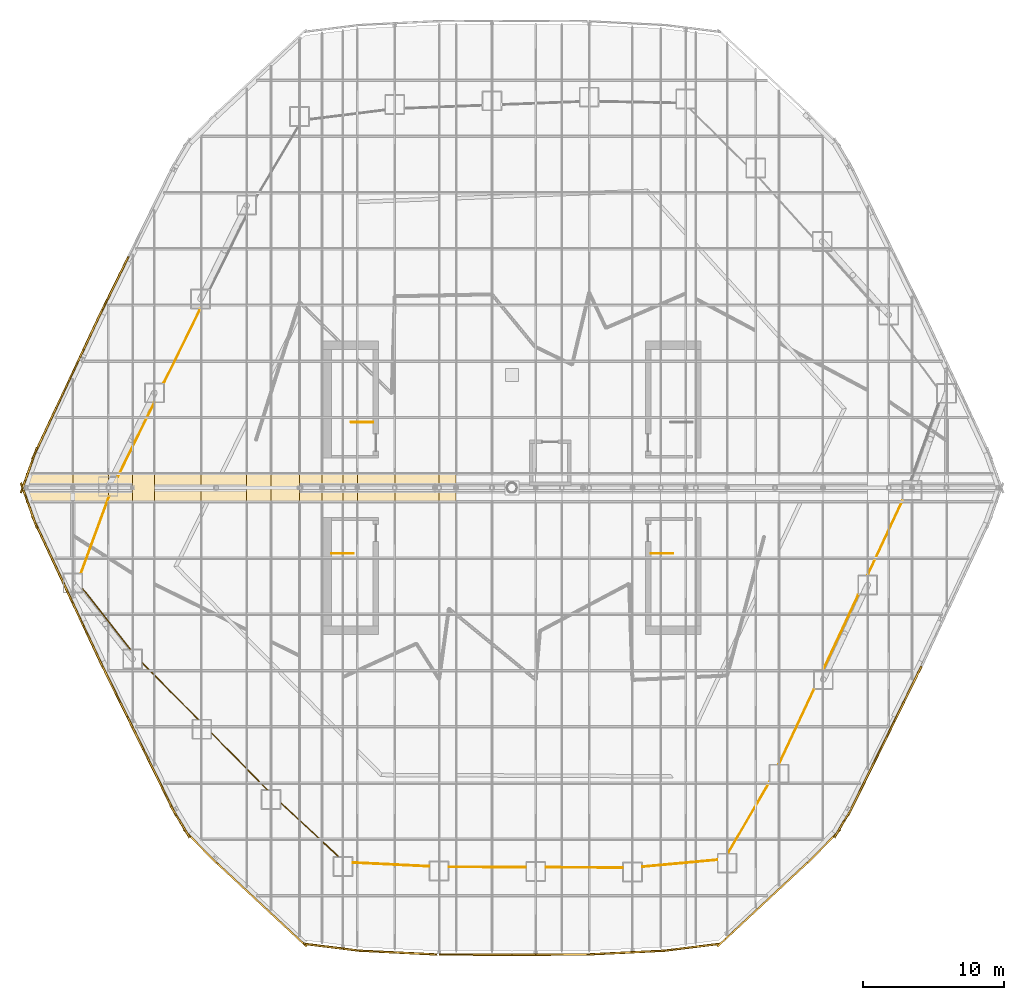
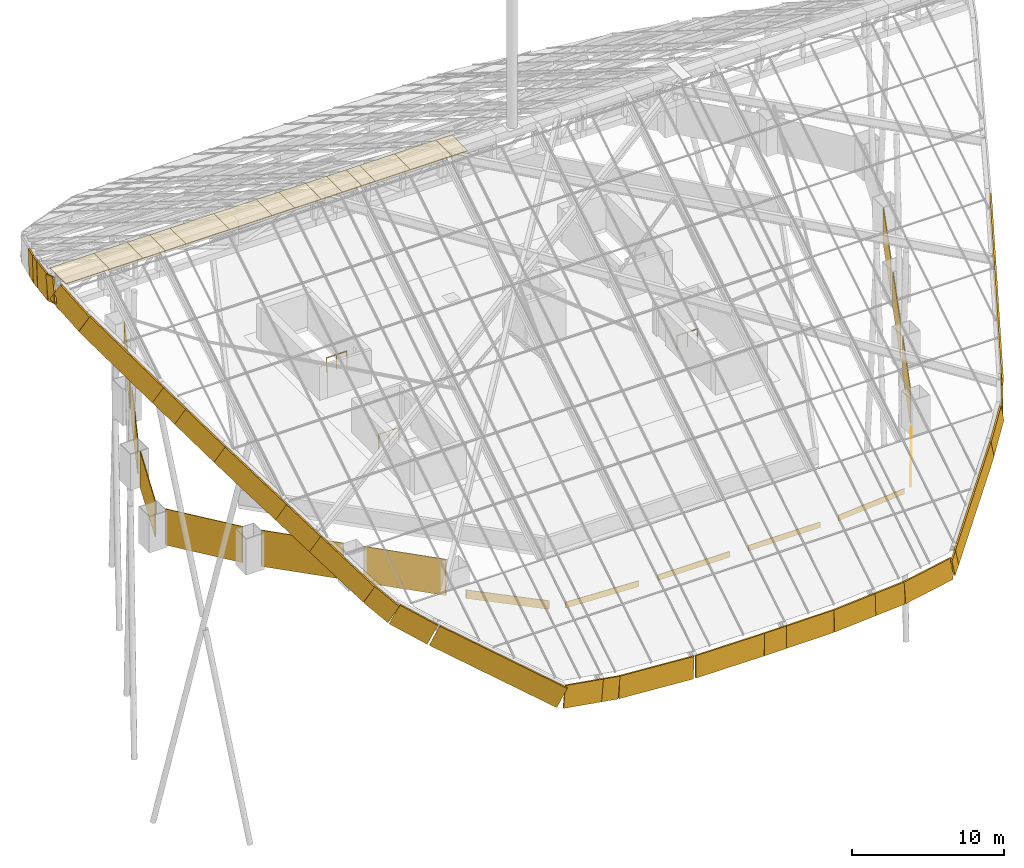
# One storey, part 37 of 38: 58 coverings, 3 railings.
"""IFC4 building model written with IfcOpenShell, lengths in metres."""

from ifc_helpers import new_model, si_unit, direction, frame, origin, origin_2d, place, context, subcontext, project, spatial, polyline, rectangle, circle, outline, extrude, material, layer, layer_set, material_profile, profile_set, type_object, element, save


model = new_model("IFC4")

# Units and contexts
model_context = context("Model", 3, precision=1e-05, world=origin(), true_north=direction((0.0, 1.0)))
body_context = subcontext(model_context, "Body", "Model", "MODEL_VIEW")
ifc_project = project(units=[si_unit("LENGTHUNIT", "METRE"), si_unit("AREAUNIT", "SQUARE_METRE"), si_unit("VOLUMEUNIT", "CUBIC_METRE"), si_unit("PLANEANGLEUNIT", "RADIAN"), si_unit("MASSUNIT", "GRAM", prefix="KILO")], contexts=[model_context])

# Site, building, storey
site_placement = place(None, origin())
site = spatial("IfcSite", under=ifc_project, at=site_placement, CompositionType="ELEMENT")
building_placement = place(site_placement, origin())
building = spatial("IfcBuilding", under=site, at=building_placement, Name="Dongbaek Canopy Tower", CompositionType="ELEMENT")
storey_placement = place(building_placement, frame((0.0, 0.0, 375.800048828125)))
storey = spatial("IfcBuildingStorey", under=building, at=storey_placement, Name="Roof", CompositionType="ELEMENT", Elevation=375.800048828125)

# Coverings
ifc_material_1 = material(Name="Perforated pale metal")
ifc_layer_1 = layer(ifc_material_1, 0.06005859375)
ifc_layer_set_1 = layer_set([ifc_layer_1], Name="Crown plant screen")
covering_type_1 = type_object("IfcCoveringType", Name="Crown plant screen", PredefinedType="CLADDING", material=ifc_layer_set_1)
covering_1_placement = place(storey_placement, origin())
element("IfcCovering", 1, at=covering_1_placement, inside=storey, type_object=covering_type_1, Name="Crown plant screen 1 Roof", PredefinedType="CLADDING", context=body_context, shape_type="SweptSolid", body=[
    extrude(outline(polyline([(-30.428955078125, -7.197998046875), (-30.428955078125, -7.10107421875), (-27.02001953125, -11.43408203125), (-27.09619140625, -11.43408203125), (-30.428955078125, -7.197998046875)])), origin(), (0.0, 0.0, 1.0), 2.89990234375),
])
covering_2_placement = place(storey_placement, origin())
element("IfcCovering", 2, at=covering_2_placement, inside=storey, type_object=covering_type_1, Name="Crown plant screen 2 Roof", PredefinedType="CLADDING", context=body_context, shape_type="SweptSolid", body=[
    extrude(outline(polyline([(-26.18896484375, -12.4599609375), (-26.18896484375, -12.37451171875), (-22.21240234375, -16.412109375), (-22.29638671875, -16.412109375), (-26.18896484375, -12.4599609375)])), origin(), (0.0, 0.0, 1.0), 2.89990234375),
])
covering_3_placement = place(storey_placement, origin())
element("IfcCovering", 3, at=covering_3_placement, inside=storey, type_object=covering_type_1, Name="Crown plant screen 3 Roof", PredefinedType="CLADDING", context=body_context, shape_type="SweptSolid", body=[
    extrude(outline(polyline([(-21.285888671875, -17.43798828125), (-21.285888671875, -17.352294921875), (-17.310302734375, -21.388916015625), (-17.39453125, -21.388916015625), (-21.285888671875, -17.43798828125)])), origin(), (0.0, 0.0, 1.0), 2.89990234375),
])
covering_4_placement = place(storey_placement, origin())
element("IfcCovering", 4, at=covering_4_placement, inside=storey, type_object=covering_type_1, Name="Crown plant screen 4 Roof", PredefinedType="CLADDING", context=body_context, shape_type="SweptSolid", body=[
    extrude(outline(polyline([(-16.384033203125, -22.371337890625), (-16.384033203125, -22.289306640625), (-12.253173828125, -26.131103515625), (-12.34130859375, -26.131103515625), (-16.384033203125, -22.371337890625)])), origin(), (0.0, 0.0, 1.0), 0.68603515625),
])
covering_5_placement = place(storey_placement, origin())
element("IfcCovering", 5, at=covering_5_placement, inside=storey, type_object=covering_type_1, Name="Crown plant screen 5 Roof", PredefinedType="CLADDING", context=body_context, shape_type="SweptSolid", body=[
    extrude(outline(polyline([(-11.284912109375, -26.59521484375), (-11.284912109375, -26.53515625), (-5.865966796875, -26.802001953125), (-5.865966796875, -26.8623046875), (-11.284912109375, -26.59521484375)])), origin(), (0.0, 0.0, 1.0), 0.47607421875),
])
covering_6_placement = place(storey_placement, origin())
element("IfcCovering", 6, at=covering_6_placement, inside=storey, type_object=covering_type_1, Name="Crown plant screen 6 Roof", PredefinedType="CLADDING", context=body_context, shape_type="SweptSolid", body=[
    extrude(outline(polyline([(-4.466064453125, -26.900146484375), (-4.466064453125, -26.840087890625), (0.98291015625, -26.864013671875), (0.98291015625, -26.923828125), (-4.466064453125, -26.900146484375)])), origin(), (0.0, 0.0, 1.0), 0.457275390625),
])
covering_7_placement = place(storey_placement, origin())
element("IfcCovering", 7, at=covering_7_placement, inside=storey, type_object=covering_type_1, Name="Crown plant screen 7 Roof", PredefinedType="CLADDING", context=body_context, shape_type="SweptSolid", body=[
    extrude(outline(polyline([(2.383056640625, -26.93017578125), (2.383056640625, -26.8701171875), (7.833984375, -26.893798828125), (7.833984375, -26.953857421875), (2.383056640625, -26.93017578125)])), origin(), (0.0, 0.0, 1.0), 0.438720703125),
])
covering_8_placement = place(storey_placement, origin())
element("IfcCovering", 8, at=covering_8_placement, inside=storey, type_object=covering_type_1, Name="Crown plant screen 8 Roof", PredefinedType="CLADDING", context=body_context, shape_type="SweptSolid", body=[
    extrude(outline(polyline([(9.23388671875, -26.891357421875), (9.23388671875, -26.8310546875), (14.552001953125, -26.340087890625), (14.552001953125, -26.400390625), (9.23388671875, -26.891357421875)])), origin(), (0.0, 0.0, 1.0), 0.438720703125),
])
covering_9_placement = place(storey_placement, origin())
element("IfcCovering", 9, at=covering_9_placement, inside=storey, type_object=covering_type_1, Name="Crown plant screen 9 Roof", PredefinedType="CLADDING", context=body_context, shape_type="SweptSolid", body=[
    extrude(outline(polyline([(15.346923828125, -25.906982421875), (15.277587890625, -25.906982421875), (18.22509765625, -20.8427734375), (18.22509765625, -20.9619140625), (15.346923828125, -25.906982421875)])), origin(), (0.0, 0.0, 1.0), 0.826171875),
])
covering_10_placement = place(storey_placement, origin())
element("IfcCovering", 10, at=covering_10_placement, inside=storey, type_object=covering_type_1, Name="Crown plant screen 10 Roof", PredefinedType="CLADDING", context=body_context, shape_type="SweptSolid", body=[
    extrude(outline(polyline([(18.954833984375, -19.595947265625), (18.888671875, -19.595947265625), (21.37548828125, -14.2880859375), (21.44189453125, -14.2880859375), (18.954833984375, -19.595947265625)])), origin(), (0.0, 0.0, 1.0), 2.89990234375),
])
covering_11_placement = place(storey_placement, origin())
element("IfcCovering", 11, at=covering_11_placement, inside=storey, type_object=covering_type_1, Name="Crown plant screen 11 Roof", PredefinedType="CLADDING", context=body_context, shape_type="SweptSolid", body=[
    extrude(outline(polyline([(22.09765625, -12.887939453125), (22.031494140625, -12.887939453125), (24.517822265625, -7.5791015625), (24.583984375, -7.5791015625), (22.09765625, -12.887939453125)])), origin(), (0.0, 0.0, 1.0), 2.89990234375),
])
covering_12_placement = place(storey_placement, origin())
element("IfcCovering", 12, at=covering_12_placement, inside=storey, type_object=covering_type_1, Name="Crown plant screen 12 Roof", PredefinedType="CLADDING", context=body_context, shape_type="SweptSolid", body=[
    extrude(outline(polyline([(25.239501953125, -6.178955078125), (25.17333984375, -6.178955078125), (27.658935546875, -0.8701171875), (27.72509765625, -0.8701171875), (25.239501953125, -6.178955078125)])), origin(), (0.0, 0.0, 1.0), 2.89990234375),
])
covering_13_placement = place(storey_placement, origin())
element("IfcCovering", 13, at=covering_13_placement, inside=storey, type_object=covering_type_1, Name="Crown plant screen 24 Roof", PredefinedType="CLADDING", context=body_context, shape_type="SweptSolid", body=[
    extrude(outline(polyline([(-22.119384765625, 12.68408203125), (-22.052490234375, 12.68408203125), (-24.64697265625, 7.410400390625), (-24.64697265625, 7.43505859375), (-24.70166015625, 7.43505859375), (-22.119384765625, 12.68408203125)])), origin(), (0.0, 0.0, 1.0), 2.89990234375),
])
covering_14_placement = place(storey_placement, origin())
element("IfcCovering", 14, at=covering_14_placement, inside=storey, type_object=covering_type_1, Name="Crown plant screen 25 Roof", PredefinedType="CLADDING", context=body_context, shape_type="SweptSolid", body=[
    extrude(outline(polyline([(-25.390380859375, 6.034912109375), (-25.323486328125, 6.034912109375), (-27.9169921875, 0.76171875), (-27.9169921875, 0.785888671875), (-27.971923828125, 0.785888671875), (-25.390380859375, 6.034912109375)])), origin(), (0.0, 0.0, 1.0), 2.89990234375),
])
covering_15_placement = place(storey_placement, origin())
element("IfcCovering", 15, at=covering_15_placement, inside=storey, type_object=covering_type_1, Name="Crown plant screen 26 Roof", PredefinedType="CLADDING", context=body_context, shape_type="SweptSolid", body=[
    extrude(outline(polyline([(-28.586669921875, -0.614013671875), (-28.522705078125, -0.614013671875), (-30.52001953125, -6.044921875), (-30.583984375, -6.044921875), (-28.586669921875, -0.614013671875)])), origin(), (0.0, 0.0, 1.0), 2.89990234375),
])
ifc_material_2 = material(Name="Pale metal cladding")
ifc_material_profile = material_profile(ifc_material_2, rectangle(XDim=0.1201171875, YDim=1.800048828125, at=origin_2d()), Name="Eaves fascia 120 x 1800")
ifc_profile_set = profile_set([ifc_material_profile], Name="Pale metal cladding")
covering_type_2 = type_object("IfcCoveringType", Name="Eaves fascia 120 x 1800", PredefinedType="CLADDING", material=ifc_profile_set)
covering_16_placement = place(storey_placement, frame((-33.81787109375, -2.43115234375, 16.053955078125), z_axis=(0.369012078988, -0.788211242876, -0.492496824522), x_axis=(0.905662812206, 0.423998668142, 0.0)))
element("IfcCovering", 16, at=covering_16_placement, inside=storey, type_object=covering_type_2, Name="Eaves fascia 1", PredefinedType="CLADDING", context=body_context, shape_type="SweptSolid", body=[
    extrude(rectangle(XDim=0.1201171875, YDim=1.800048828125, at=origin_2d()), origin(), (0.0, 0.0, 1.0), 6.771484375),
])
covering_17_placement = place(storey_placement, frame((-31.319091796875, -7.7685546875, 12.718994140625), z_axis=(0.368928818626, -0.7881985696, -0.492579477514), x_axis=(0.905696929391, 0.423925786066, 0.0)))
element("IfcCovering", 17, at=covering_17_placement, inside=storey, type_object=covering_type_2, Name="Eaves fascia 2", PredefinedType="CLADDING", context=body_context, shape_type="SweptSolid", body=[
    extrude(rectangle(XDim=0.1201171875, YDim=1.800048828125, at=origin_2d()), origin(), (0.0, 0.0, 1.0), 2.051513671875),
])
covering_18_placement = place(storey_placement, frame((-30.562255859375, -9.385498046875, 11.70849609375), z_axis=(0.369167445201, -0.788154967466, -0.492470450547), x_axis=(0.905582622322, 0.424169911884, 0.0)))
element("IfcCovering", 18, at=covering_18_placement, inside=storey, type_object=covering_type_2, Name="Eaves fascia 3", PredefinedType="CLADDING", context=body_context, shape_type="SweptSolid", body=[
    extrude(rectangle(XDim=0.1201171875, YDim=1.800048828125, at=origin_2d()), origin(), (0.0, 0.0, 1.0), 3.621337890625),
])
covering_19_placement = place(storey_placement, frame((-29.2236328125, -12.243408203125, 9.92724609375), z_axis=(0.385009108565, -0.782675210916, -0.489067991735), x_axis=(0.897310520025, 0.44139985348, 0.0)))
element("IfcCovering", 19, at=covering_19_placement, inside=storey, type_object=covering_type_2, Name="Eaves fascia 4", PredefinedType="CLADDING", context=body_context, shape_type="SweptSolid", body=[
    extrude(rectangle(XDim=0.1201171875, YDim=1.800048828125, at=origin_2d()), origin(), (0.0, 0.0, 1.0), 5.574462890625),
])
covering_20_placement = place(storey_placement, frame((-27.077392578125, -16.6064453125, 7.200927734375), z_axis=(0.384972498589, -0.782690333858, -0.489072608736), x_axis=(0.897330521182, 0.441359191312, 0.0)))
element("IfcCovering", 20, at=covering_20_placement, inside=storey, type_object=covering_type_2, Name="Eaves fascia 5", PredefinedType="CLADDING", context=body_context, shape_type="SweptSolid", body=[
    extrude(rectangle(XDim=0.1201171875, YDim=1.800048828125, at=origin_2d()), origin(), (0.0, 0.0, 1.0), 3.083984375),
])
covering_21_placement = place(storey_placement, frame((-25.89013671875, -19.020263671875, 5.692626953125), z_axis=(0.385039241832, -0.782668322634, -0.48905529237), x_axis=(0.897295297946, 0.441430796711, 0.0)))
element("IfcCovering", 21, at=covering_21_placement, inside=storey, type_object=covering_type_2, Name="Eaves fascia 6", PredefinedType="CLADDING", context=body_context, shape_type="SweptSolid", body=[
    extrude(rectangle(XDim=0.1201171875, YDim=1.800048828125, at=origin_2d()), origin(), (0.0, 0.0, 1.0), 4.88671875),
])
covering_22_placement = place(storey_placement, frame((-24.000732421875, -22.859619140625, 3.31298828125), z_axis=(0.450707195085, -0.757070255796, -0.472977432959), x_axis=(0.85925789479, 0.511542637754, 0.0)))
element("IfcCovering", 22, at=covering_22_placement, inside=storey, type_object=covering_type_2, Name="Eaves fascia 7", PredefinedType="CLADDING", context=body_context, shape_type="SweptSolid", body=[
    extrude(rectangle(XDim=0.1201171875, YDim=1.800048828125, at=origin_2d()), origin(), (0.0, 0.0, 1.0), 2.072021484375),
])
covering_23_placement = place(storey_placement, frame((-23.0361328125, -24.468017578125, 2.369384765625), z_axis=(0.641028209755, -0.650867804539, -0.406760292202), x_axis=(0.712471723396, 0.701700821833, 0.0)))
element("IfcCovering", 23, at=covering_23_placement, inside=storey, type_object=covering_type_2, Name="Eaves fascia 8", PredefinedType="CLADDING", context=body_context, shape_type="SweptSolid", body=[
    extrude(rectangle(XDim=0.1201171875, YDim=1.800048828125, at=origin_2d()), origin(), (0.0, 0.0, 1.0), 2.853271484375),
])
covering_24_placement = place(storey_placement, frame((-21.116455078125, -26.409423828125, 1.167236328125), z_axis=(0.673801038304, -0.626634965623, -0.391561975477), x_axis=(0.681012642079, 0.732271658149, 0.0)))
element("IfcCovering", 24, at=covering_24_placement, inside=storey, type_object=covering_type_2, Name="Eaves fascia 10", PredefinedType="CLADDING", context=body_context, shape_type="SweptSolid", body=[
    extrude(rectangle(XDim=0.1201171875, YDim=1.800048828125, at=origin_2d()), origin(), (0.0, 0.0, 1.0), 9.34814453125),
])
covering_25_placement = place(storey_placement, frame((-14.70068359375, -32.322021484375, -2.417724609375), z_axis=(0.989337798835, -0.123476397694, -0.077228874194), x_axis=(0.123846278156, 0.992301415593, 0.0)))
element("IfcCovering", 25, at=covering_25_placement, inside=storey, type_object=covering_type_2, Name="Eaves fascia 11", PredefinedType="CLADDING", context=body_context, shape_type="SweptSolid", body=[
    extrude(rectangle(XDim=0.1201171875, YDim=1.800048828125, at=origin_2d()), origin(), (0.0, 0.0, 1.0), 2.71875),
])
covering_26_placement = place(storey_placement, frame((-12.010986328125, -32.65771484375, -2.627685546875), z_axis=(0.989329758718, -0.12364046141, -0.077069220946), x_axis=(0.124009296744, 0.992281056113, 0.0)))
element("IfcCovering", 26, at=covering_26_placement, inside=storey, type_object=covering_type_2, Name="Eaves fascia 12", PredefinedType="CLADDING", context=body_context, shape_type="SweptSolid", body=[
    extrude(rectangle(XDim=0.1201171875, YDim=1.800048828125, at=origin_2d()), origin(), (0.0, 0.0, 1.0), 1.184814453125),
])
covering_27_placement = place(storey_placement, frame((-10.8232421875, -32.805419921875, -2.716796875), z_axis=(0.998315847225, -0.049197132713, -0.030742662732), x_axis=(0.049220397589, 0.998787941688, 0.0)))
element("IfcCovering", 27, at=covering_27_placement, inside=storey, type_object=covering_type_2, Name="Eaves fascia 13", PredefinedType="CLADDING", context=body_context, shape_type="SweptSolid", body=[
    extrude(rectangle(XDim=0.1201171875, YDim=1.800048828125, at=origin_2d()), origin(), (0.0, 0.0, 1.0), 5.50341796875),
])
covering_28_placement = place(storey_placement, frame((-5.1669921875, -33.0771484375, -2.885986328125), z_axis=(0.999986791868, -0.00434776866, -0.00274098459), x_axis=(0.004347784993, 0.999990548338, 0.0)))
element("IfcCovering", 28, at=covering_28_placement, inside=storey, type_object=covering_type_2, Name="Eaves fascia 15", PredefinedType="CLADDING", context=body_context, shape_type="SweptSolid", body=[
    extrude(rectangle(XDim=0.1201171875, YDim=1.800048828125, at=origin_2d()), origin(), (0.0, 0.0, 1.0), 5.166015625),
])
covering_29_placement = place(storey_placement, frame((0.0009765625, -33.099609375, -2.900146484375), z_axis=(0.999986730337, 0.004352183652, 0.002756382979), x_axis=(-0.004352200185, 0.999990529132, 0.0)))
element("IfcCovering", 29, at=covering_29_placement, inside=storey, type_object=covering_type_2, Name="Eaves fascia 16", PredefinedType="CLADDING", context=body_context, shape_type="SweptSolid", body=[
    extrude(rectangle(XDim=0.1201171875, YDim=1.800048828125, at=origin_2d()), origin(), (0.0, 0.0, 1.0), 1.682861328125),
])
covering_30_placement = place(storey_placement, frame((1.683837890625, -33.09228515625, -2.8955078125), z_axis=(0.999986686557, 0.004364408422, 0.002752934543), x_axis=(-0.00436442496, 0.999990475852, 0.0)))
element("IfcCovering", 30, at=covering_30_placement, inside=storey, type_object=covering_type_2, Name="Eaves fascia 17", PredefinedType="CLADDING", context=body_context, shape_type="SweptSolid", body=[
    extrude(rectangle(XDim=0.1201171875, YDim=1.800048828125, at=origin_2d()), origin(), (0.0, 0.0, 1.0), 3.635986328125),
])
covering_31_placement = place(storey_placement, frame((5.3291015625, -33.076171875, -2.885986328125), z_axis=(0.998314903919, 0.049195624346, 0.03077569104), x_axis=(-0.049218938559, 0.998788013588, 0.0)))
element("IfcCovering", 31, at=covering_31_placement, inside=storey, type_object=covering_type_2, Name="Eaves fascia 18", PredefinedType="CLADDING", context=body_context, shape_type="SweptSolid", body=[
    extrude(rectangle(XDim=0.1201171875, YDim=1.800048828125, at=origin_2d()), origin(), (0.0, 0.0, 1.0), 3.220703125),
])
covering_32_placement = place(storey_placement, frame((8.54443359375, -32.917724609375, -2.786865234375), z_axis=(0.998317176348, 0.049199260887, 0.030696060597), x_axis=(-0.049222456236, 0.998787840235, 0.0)))
element("IfcCovering", 32, at=covering_32_placement, inside=storey, type_object=covering_type_2, Name="Eaves fascia 19", PredefinedType="CLADDING", context=body_context, shape_type="SweptSolid", body=[
    extrude(rectangle(XDim=0.1201171875, YDim=1.800048828125, at=origin_2d()), origin(), (0.0, 0.0, 1.0), 2.28271484375),
])
covering_33_placement = place(storey_placement, frame((10.8388671875, -32.80419921875, -2.718994140625), z_axis=(0.989335364012, 0.123526194457, 0.077180417195), x_axis=(-0.1238957578, 0.992295238928, 0.0)))
element("IfcCovering", 33, at=covering_33_placement, inside=storey, type_object=covering_type_2, Name="Eaves fascia 20", PredefinedType="CLADDING", context=body_context, shape_type="SweptSolid", body=[
    extrude(rectangle(XDim=0.1201171875, YDim=1.800048828125, at=origin_2d()), origin(), (0.0, 0.0, 1.0), 3.903564453125),
])
covering_34_placement = place(storey_placement, frame((14.817626953125, -32.267333984375, -2.4931640625), z_axis=(0.673882111725, 0.626582141092, 0.391506985839), x_axis=(-0.680937918122, 0.73234114432, 0.0)))
element("IfcCovering", 34, at=covering_34_placement, inside=storey, type_object=covering_type_2, Name="Eaves fascia 21", PredefinedType="CLADDING", context=body_context, shape_type="SweptSolid", body=[
    extrude(rectangle(XDim=0.1201171875, YDim=1.800048828125, at=origin_2d()), origin(), (0.0, 0.0, 1.0), 0.85693359375),
])
covering_35_placement = place(storey_placement, frame((15.39501953125, -31.73046875, -2.15771484375), z_axis=(0.673807254107, 0.626625444111, 0.391566516833), x_axis=(-0.681003724592, 0.732279951311, 0.0)))
element("IfcCovering", 35, at=covering_35_placement, inside=storey, type_object=covering_type_2, Name="Eaves fascia 22", PredefinedType="CLADDING", context=body_context, shape_type="SweptSolid", body=[
    extrude(rectangle(XDim=0.1201171875, YDim=1.800048828125, at=origin_2d()), origin(), (0.0, 0.0, 1.0), 8.615478515625),
])
covering_36_placement = place(storey_placement, frame((21.20703125, -26.3251953125, 1.208740234375), z_axis=(0.641028209755, 0.650867804539, 0.406760292202), x_axis=(-0.712471723396, 0.701700821833, 0.0)))
element("IfcCovering", 36, at=covering_36_placement, inside=storey, type_object=covering_type_2, Name="Eaves fascia 23", PredefinedType="CLADDING", context=body_context, shape_type="SweptSolid", body=[
    extrude(rectangle(XDim=0.1201171875, YDim=1.800048828125, at=origin_2d()), origin(), (0.0, 0.0, 1.0), 2.853271484375),
])
covering_37_placement = place(storey_placement, frame((23.06689453125, -24.42822265625, 2.3330078125), z_axis=(0.450690065467, 0.757068261486, 0.472996947495), x_axis=(-0.859265848036, 0.511529278145, 0.0)))
element("IfcCovering", 37, at=covering_37_placement, inside=storey, type_object=covering_type_2, Name="Eaves fascia 24", PredefinedType="CLADDING", context=body_context, shape_type="SweptSolid", body=[
    extrude(rectangle(XDim=0.1201171875, YDim=1.800048828125, at=origin_2d()), origin(), (0.0, 0.0, 1.0), 1.60888671875),
])
covering_38_placement = place(storey_placement, frame((24.008544921875, -22.844970703125, 3.302734375), z_axis=(0.385011345033, 0.782669465817, 0.489075425138), x_axis=(-0.897308221173, 0.441404526727, 0.0)))
element("IfcCovering", 38, at=covering_38_placement, inside=storey, type_object=covering_type_2, Name="Eaves fascia 26", PredefinedType="CLADDING", context=body_context, shape_type="SweptSolid", body=[
    extrude(rectangle(XDim=0.1201171875, YDim=1.800048828125, at=origin_2d()), origin(), (0.0, 0.0, 1.0), 8.53271484375),
])
covering_39_placement = place(storey_placement, frame((27.293701171875, -16.166748046875, 7.475830078125), z_axis=(0.385012154236, 0.782687579831, 0.489045798948), x_axis=(-0.89731189986, 0.441397048438, 0.0)))
element("IfcCovering", 39, at=covering_39_placement, inside=storey, type_object=covering_type_2, Name="Eaves fascia 27", PredefinedType="CLADDING", context=body_context, shape_type="SweptSolid", body=[
    extrude(rectangle(XDim=0.1201171875, YDim=1.800048828125, at=origin_2d()), origin(), (0.0, 0.0, 1.0), 5.0126953125),
])
covering_40_placement = place(storey_placement, frame((-27.375732421875, 16.0, 7.579833984375), z_axis=(-0.385003801234, -0.782673205124, 0.489075379688), x_axis=(0.897312481965, -0.44139586508, 0.0)))
element("IfcCovering", 40, at=covering_40_placement, inside=storey, type_object=covering_type_2, Name="Eaves fascia 58", PredefinedType="CLADDING", context=body_context, shape_type="SweptSolid", body=[
    extrude(rectangle(XDim=0.1201171875, YDim=1.800048828125, at=origin_2d()), origin(), (0.0, 0.0, 1.0), 4.7998046875),
])
covering_41_placement = place(storey_placement, frame((-29.225341796875, 12.23974609375, 9.925048828125), z_axis=(-0.369142320451, -0.788159630336, 0.49248182135), x_axis=(0.905594674826, -0.42414417941, 0.0)))
element("IfcCovering", 41, at=covering_41_placement, inside=storey, type_object=covering_type_2, Name="Eaves fascia 59", PredefinedType="CLADDING", context=body_context, shape_type="SweptSolid", body=[
    extrude(rectangle(XDim=0.1201171875, YDim=1.800048828125, at=origin_2d()), origin(), (0.0, 0.0, 1.0), 3.622314453125),
])
covering_42_placement = place(storey_placement, frame((-30.64208984375, 9.214599609375, 11.8154296875), z_axis=(-0.36901294499, -0.7882091541, 0.492499518601), x_axis=(0.905661998642, -0.424000405915, 0.0)))
element("IfcCovering", 42, at=covering_42_placement, inside=storey, type_object=covering_type_2, Name="Eaves fascia 61", PredefinedType="CLADDING", context=body_context, shape_type="SweptSolid", body=[
    extrude(rectangle(XDim=0.1201171875, YDim=1.800048828125, at=origin_2d()), origin(), (0.0, 0.0, 1.0), 8.606201171875),
])
for number, where, z_axis, x_axis, name in (
    (43, (-33.825439453125, 2.412841796875, 16.0439453125), (-0.28999238228, -0.811606451458, 0.507148288148), (0.941693046542, -0.336473187779, 0.0), "Eaves fascia 62"),
    (44, (-34.662353515625, -0.070556640625, 17.507568359375), (0.28999238228, -0.811606451458, -0.507148288148), (0.941693046542, 0.336473187779, 0.0), "Eaves fascia 63"),
):
    element("IfcCovering", number, at=place(storey_placement, frame(where, z_axis=z_axis, x_axis=x_axis)), inside=storey, type_object=covering_type_2, Name=name, PredefinedType="CLADDING", context=body_context, shape_type="SweptSolid", body=[
        extrude(rectangle(XDim=0.1201171875, YDim=1.800048828125, at=origin_2d()), origin(), (0.0, 0.0, 1.0), 2.885986328125),
    ])
ifc_material_3 = material(Name="Pale metal cladding")
ifc_layer_2 = layer(ifc_material_3, 0.06005859375)
ifc_layer_set_2 = layer_set([ifc_layer_2], Name="Ridge cap 2100")
covering_type_3 = type_object("IfcCoveringType", Name="Ridge cap 2100", PredefinedType="USERDEFINED", material=ifc_layer_set_2)
covering_43_placement = place(storey_placement, frame((-32.796875, 0.0, 18.601806640625), z_axis=(0.0, 0.0, 1.0), x_axis=(1.0, 0.0, 0.0)))
element("IfcCovering", 45, at=covering_43_placement, inside=storey, type_object=covering_type_3, Name="Ridge cap 1", ObjectType="RIDGE CAP", PredefinedType="USERDEFINED", context=body_context, shape_type="SweptSolid", body=[
    extrude(rectangle(XDim=3.335693359375, YDim=2.10009765625, at=origin_2d()), origin(), (0.0, 0.0, 1.0), 0.06005859375),
])
covering_44_placement = place(storey_placement, frame((-29.873046875, 0.0, 18.601806640625), z_axis=(0.0, 0.0, 1.0), x_axis=(1.0, 0.0, 0.0)))
element("IfcCovering", 46, at=covering_44_placement, inside=storey, type_object=covering_type_3, Name="Ridge cap 2", ObjectType="RIDGE CAP", PredefinedType="USERDEFINED", context=body_context, shape_type="SweptSolid", body=[
    extrude(rectangle(XDim=2.511962890625, YDim=2.10009765625, at=origin_2d()), origin(), (0.0, 0.0, 1.0), 0.06005859375),
])
covering_45_placement = place(storey_placement, frame((-27.7529296875, 0.0, 18.601806640625), z_axis=(0.0, 0.0, 1.0), x_axis=(1.0, 0.0, 0.0)))
element("IfcCovering", 47, at=covering_45_placement, inside=storey, type_object=covering_type_3, Name="Ridge cap 3", ObjectType="RIDGE CAP", PredefinedType="USERDEFINED", context=body_context, shape_type="SweptSolid", body=[
    extrude(rectangle(XDim=1.72802734375, YDim=2.10009765625, at=origin_2d()), origin(), (0.0, 0.0, 1.0), 0.06005859375),
])
covering_46_placement = place(storey_placement, frame((-26.117919921875, 0.0, 18.601806640625), z_axis=(0.0, 0.0, 1.0), x_axis=(1.0, 0.0, 0.0)))
element("IfcCovering", 48, at=covering_46_placement, inside=storey, type_object=covering_type_3, Name="Ridge cap 4", ObjectType="RIDGE CAP", PredefinedType="USERDEFINED", context=body_context, shape_type="SweptSolid", body=[
    extrude(rectangle(XDim=1.5419921875, YDim=2.10009765625, at=origin_2d()), origin(), (0.0, 0.0, 1.0), 0.06005859375),
])
covering_47_placement = place(storey_placement, frame((-23.68896484375, 0.0, 18.601806640625), z_axis=(0.0, 0.0, 1.0), x_axis=(1.0, 0.0, 0.0)))
element("IfcCovering", 49, at=covering_47_placement, inside=storey, type_object=covering_type_3, Name="Ridge cap 5", ObjectType="RIDGE CAP", PredefinedType="USERDEFINED", context=body_context, shape_type="SweptSolid", body=[
    extrude(rectangle(XDim=3.31591796875, YDim=2.10009765625, at=origin_2d()), origin(), (0.0, 0.0, 1.0), 0.06005859375),
])
covering_48_placement = place(storey_placement, frame((-20.41845703125, 0.0, 18.601806640625), z_axis=(0.0, 0.0, 1.0), x_axis=(1.0, 0.0, 0.0)))
element("IfcCovering", 50, at=covering_48_placement, inside=storey, type_object=covering_type_3, Name="Ridge cap 6", ObjectType="RIDGE CAP", PredefinedType="USERDEFINED", context=body_context, shape_type="SweptSolid", body=[
    extrude(rectangle(XDim=3.22509765625, YDim=2.10009765625, at=origin_2d()), origin(), (0.0, 0.0, 1.0), 0.06005859375),
])
covering_49_placement = place(storey_placement, frame((-17.945068359375, 0.0, 18.601806640625), z_axis=(0.0, 0.0, 1.0), x_axis=(1.0, 0.0, 0.0)))
element("IfcCovering", 51, at=covering_49_placement, inside=storey, type_object=covering_type_3, Name="Ridge cap 7", ObjectType="RIDGE CAP", PredefinedType="USERDEFINED", context=body_context, shape_type="SweptSolid", body=[
    extrude(rectangle(XDim=1.721923828125, YDim=2.10009765625, at=origin_2d()), origin(), (0.0, 0.0, 1.0), 0.06005859375),
])
covering_50_placement = place(storey_placement, frame((-16.072998046875, 0.0, 18.601806640625), z_axis=(0.0, 0.0, 1.0), x_axis=(1.0, 0.0, 0.0)))
element("IfcCovering", 52, at=covering_50_placement, inside=storey, type_object=covering_type_3, Name="Ridge cap 8", ObjectType="RIDGE CAP", PredefinedType="USERDEFINED", context=body_context, shape_type="SweptSolid", body=[
    extrude(rectangle(XDim=2.02197265625, YDim=2.10009765625, at=origin_2d()), origin(), (0.0, 0.0, 1.0), 0.06005859375),
])
covering_51_placement = place(storey_placement, frame((-14.263427734375, 0.0, 18.601806640625), z_axis=(0.0, 0.0, 1.0), x_axis=(1.0, 0.0, 0.0)))
element("IfcCovering", 53, at=covering_51_placement, inside=storey, type_object=covering_type_3, Name="Ridge cap 9", ObjectType="RIDGE CAP", PredefinedType="USERDEFINED", context=body_context, shape_type="SweptSolid", body=[
    extrude(rectangle(XDim=1.597412109375, YDim=2.10009765625, at=origin_2d()), origin(), (0.0, 0.0, 1.0), 0.06005859375),
])
covering_52_placement = place(storey_placement, frame((-12.724853515625, 0.0, 18.601806640625), z_axis=(0.0, 0.0, 1.0), x_axis=(1.0, 0.0, 0.0)))
element("IfcCovering", 54, at=covering_52_placement, inside=storey, type_object=covering_type_3, Name="Ridge cap 10", ObjectType="RIDGE CAP", PredefinedType="USERDEFINED", context=body_context, shape_type="SweptSolid", body=[
    extrude(rectangle(XDim=1.479736328125, YDim=2.10009765625, at=origin_2d()), origin(), (0.0, 0.0, 1.0), 0.06005859375),
])
covering_53_placement = place(storey_placement, frame((-11.474853515625, 0.0, 18.601806640625), z_axis=(0.0, 0.0, 1.0), x_axis=(1.0, 0.0, 0.0)))
element("IfcCovering", 55, at=covering_53_placement, inside=storey, type_object=covering_type_3, Name="Ridge cap 11", ObjectType="RIDGE CAP", PredefinedType="USERDEFINED", context=body_context, shape_type="SweptSolid", body=[
    extrude(rectangle(XDim=1.020263671875, YDim=2.10009765625, at=origin_2d()), origin(), (0.0, 0.0, 1.0), 0.06005859375),
])
covering_54_placement = place(storey_placement, frame((-9.636962890625, 0.0, 18.601806640625), z_axis=(0.0, 0.0, 1.0), x_axis=(1.0, 0.0, 0.0)))
element("IfcCovering", 56, at=covering_54_placement, inside=storey, type_object=covering_type_3, Name="Ridge cap 12", ObjectType="RIDGE CAP", PredefinedType="USERDEFINED", context=body_context, shape_type="SweptSolid", body=[
    extrude(rectangle(XDim=2.65576171875, YDim=2.10009765625, at=origin_2d()), origin(), (0.0, 0.0, 1.0), 0.06005859375),
])
covering_55_placement = place(storey_placement, frame((-6.737548828125, 0.0, 18.601806640625), z_axis=(0.0, 0.0, 1.0), x_axis=(1.0, 0.0, 0.0)))
element("IfcCovering", 57, at=covering_55_placement, inside=storey, type_object=covering_type_3, Name="Ridge cap 13", ObjectType="RIDGE CAP", PredefinedType="USERDEFINED", context=body_context, shape_type="SweptSolid", body=[
    extrude(rectangle(XDim=3.14306640625, YDim=2.10009765625, at=origin_2d()), origin(), (0.0, 0.0, 1.0), 0.06005859375),
])
covering_56_placement = place(storey_placement, frame((-4.5654296875, 0.0, 18.601806640625), z_axis=(0.0, 0.0, 1.0), x_axis=(1.0, 0.0, 0.0)))
element("IfcCovering", 58, at=covering_56_placement, inside=storey, type_object=covering_type_3, Name="Ridge cap 14", ObjectType="RIDGE CAP", PredefinedType="USERDEFINED", context=body_context, shape_type="SweptSolid", body=[
    extrude(rectangle(XDim=1.201416015625, YDim=2.10009765625, at=origin_2d()), origin(), (0.0, 0.0, 1.0), 0.06005859375),
])

# Railings
ifc_material_4 = material(Name="Stainless steel tube and balusters", Category="steel")
railing_type = type_object("IfcRailingType", Name="Stair guard 1200", PredefinedType="GUARDRAIL", material=ifc_material_4)
railing_1_placement = place(storey_placement, frame((-9.85009765625, 4.64990234375, 0.0)))
element("IfcRailing", 59, at=railing_1_placement, inside=storey, type_object=railing_type, Name="Roof ST-C top well guard 1", PredefinedType="GUARDRAIL", context=body_context, shape_type="SweptSolid", body=[
    extrude(circle(Radius=0.02392578125, at=origin_2d()), frame((0.0, 0.0, 1.17578125), z_axis=(-1.0, 0.0, 0.0), x_axis=(0.0, -1.0, 0.0)), (0.0, 0.0, 1.0), 1.5498046875),
    extrude(circle(Radius=0.02099609375, at=origin_2d()), origin(), (0.0, 0.0, 1.0), 1.15185546875),
    extrude(circle(Radius=0.02099609375, at=origin_2d()), frame((-0.77490234375, 0.0, 0.0)), (0.0, 0.0, 1.0), 1.15185546875),
    extrude(circle(Radius=0.02099609375, at=origin_2d()), frame((-1.5498046875, 0.0, 0.0)), (0.0, 0.0, 1.0), 1.15185546875),
])
railing_2_placement = place(storey_placement, frame((9.85009765625, -4.64990234375, 0.0)))
element("IfcRailing", 60, at=railing_2_placement, inside=storey, type_object=railing_type, Name="Roof ST-B top well guard 1", PredefinedType="GUARDRAIL", context=body_context, shape_type="SweptSolid", body=[
    extrude(circle(Radius=0.02392578125, at=origin_2d()), frame((0.0, 0.0, 1.17578125), z_axis=(1.0, 0.0, 0.0), x_axis=(0.0, 1.0, 0.0)), (0.0, 0.0, 1.0), 1.5498046875),
    extrude(circle(Radius=0.02099609375, at=origin_2d()), origin(), (0.0, 0.0, 1.0), 1.15185546875),
    extrude(circle(Radius=0.02099609375, at=origin_2d()), frame((0.77490234375, 0.0, 0.0)), (0.0, 0.0, 1.0), 1.15185546875),
    extrude(circle(Radius=0.02099609375, at=origin_2d()), frame((1.5498046875, 0.0, 0.0)), (0.0, 0.0, 1.0), 1.15185546875),
])
railing_3_placement = place(storey_placement, frame((-12.800048828125, -4.64990234375, 0.0)))
element("IfcRailing", 61, at=railing_3_placement, inside=storey, type_object=railing_type, Name="Roof ST-D top well guard 1", PredefinedType="GUARDRAIL", context=body_context, shape_type="SweptSolid", body=[
    extrude(circle(Radius=0.02392578125, at=origin_2d()), frame((0.0, 0.0, 1.17578125), z_axis=(1.0, 0.0, 0.0), x_axis=(0.0, 1.0, 0.0)), (0.0, 0.0, 1.0), 1.550048828125),
    extrude(circle(Radius=0.02099609375, at=origin_2d()), origin(), (0.0, 0.0, 1.0), 1.15185546875),
    extrude(circle(Radius=0.02099609375, at=origin_2d()), frame((0.77490234375, 0.0, 0.0)), (0.0, 0.0, 1.0), 1.15185546875),
    extrude(circle(Radius=0.02099609375, at=origin_2d()), frame((1.550048828125, 0.0, 0.0)), (0.0, 0.0, 1.0), 1.15185546875),
])

save(model, "model.ifc")
